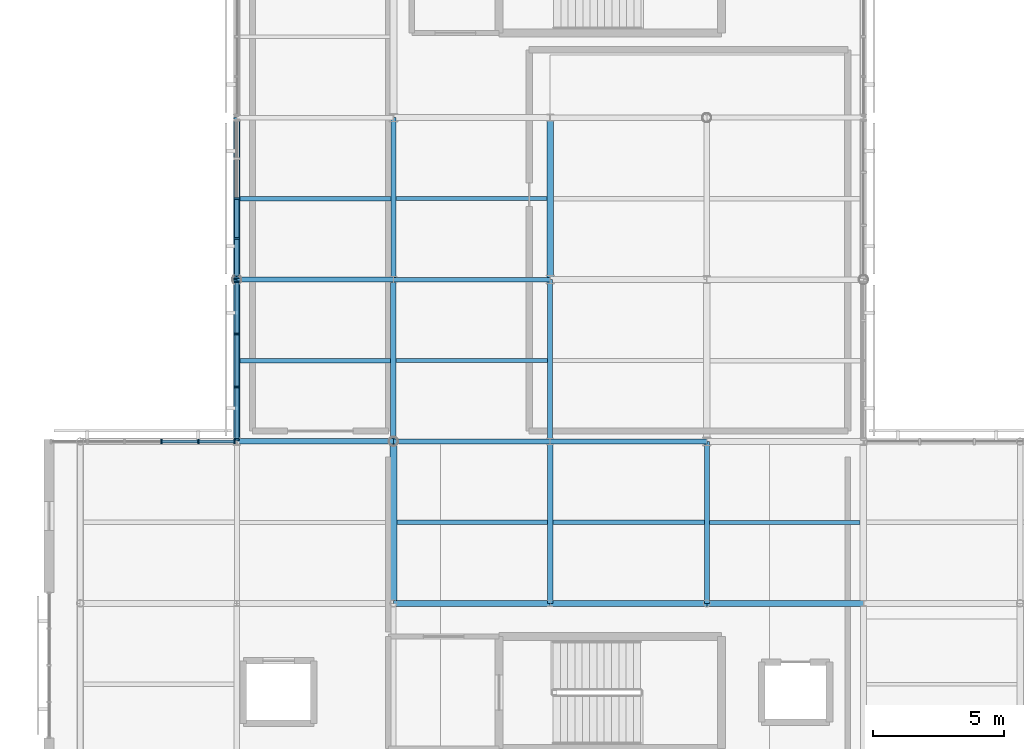
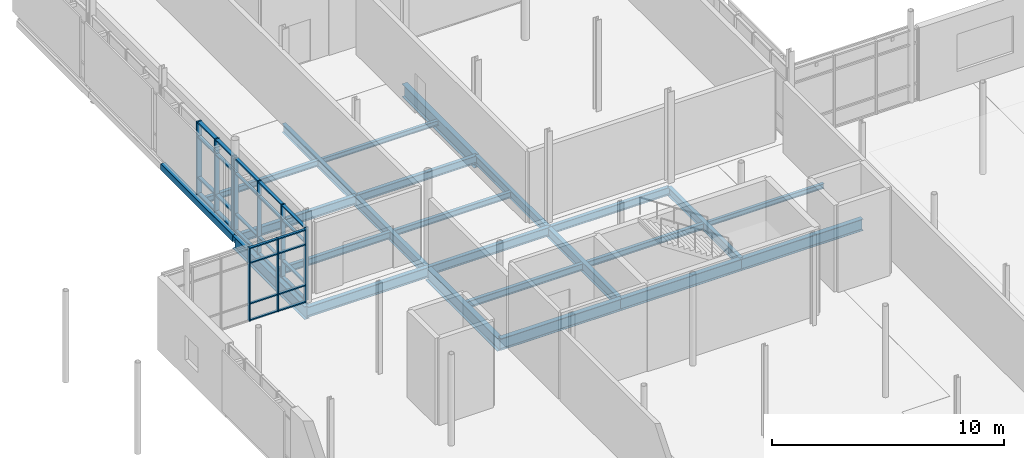
# One storey, part 30 of 66: 38 members, 24 beams, 3 elements without a shape of their own.
"""IFC4 building model written with IfcOpenShell, lengths in metres."""

from ifc_helpers import new_model, si_unit, direction, frame, origin, origin_2d, place, context, subcontext, project, spatial, rectangle, hollow_rectangle, i_section, extrude, material, layer, layer_set, material_profile, profile_set, type_object, element, aggregate, save


model = new_model("IFC4")

# Units and contexts
model_context = context("Model", 3, precision=1e-05, world=origin(), true_north=direction((0.0, 1.0)))
body_context = subcontext(model_context, "Body", "Model", "MODEL_VIEW")
ifc_project = project(units=[si_unit("LENGTHUNIT", "METRE"), si_unit("AREAUNIT", "SQUARE_METRE"), si_unit("VOLUMEUNIT", "CUBIC_METRE"), si_unit("PLANEANGLEUNIT", "RADIAN"), si_unit("MASSUNIT", "GRAM", prefix="KILO")], contexts=[model_context])

# Site, building, storey
site_placement = place(None, origin())
site = spatial("IfcSite", under=ifc_project, at=site_placement, CompositionType="ELEMENT")
building_placement = place(site_placement, origin())
building = spatial("IfcBuilding", under=site, at=building_placement, Name="Mirzam Square Science Centre", CompositionType="ELEMENT")
storey_placement = place(building_placement, frame((0.0, 0.0, 15.60009765625)))
storey = spatial("IfcBuildingStorey", under=building, at=storey_placement, Name="L03", CompositionType="ELEMENT", Elevation=15.60009765625)

# Beams
ifc_material_1 = material(Name="Steel S355", Category="steel")
ifc_material_profile_1 = material_profile(ifc_material_1, i_section(OverallWidth=0.1787109375, OverallDepth=0.409423828125, WebThickness=0.0087890625, FlangeThickness=0.014404296875, FilletRadius=0.01025390625, at=origin_2d()), Name="406x178x67UB")
ifc_profile_set_1 = profile_set([ifc_material_profile_1], Name="Steel S355")
beam_type_1 = type_object("IfcBeamType", Name="BM-UB406", PredefinedType="BEAM", material=ifc_profile_set_1)
for number, where, z_axis, x_axis, name in (
    (1, (126.0, 86.800048828125, -0.454833984375), (1.0, 0.0, 0.0), (0.0, 1.0, 0.0), "L03 girder X22-15"),
    (2, (120.0, 93.0, -0.454833984375), (1.0, 0.0, 0.0), (0.0, 1.0, 0.0), "L03 girder X21-16"),
):
    element("IfcBeam", number, at=place(storey_placement, frame(where, z_axis=z_axis, x_axis=x_axis)), inside=storey, type_object=beam_type_1, Name=name, PredefinedType="BEAM", context=body_context, shape_type="SweptSolid", body=[
        extrude(i_section(OverallWidth=0.1787109375, OverallDepth=0.409423828125, WebThickness=0.0087890625, FlangeThickness=0.014404296875, FilletRadius=0.01025390625, at=origin_2d()), origin(), (0.0, 0.0, 1.0), 6.0),
    ])
ifc_material_profile_2 = material_profile(ifc_material_1, i_section(OverallWidth=0.19140625, OverallDepth=0.4599609375, WebThickness=0.010009765625, FlangeThickness=0.01611328125, FilletRadius=0.01025390625, at=origin_2d()), Name="457x191x82UB")
ifc_profile_set_2 = profile_set([ifc_material_profile_2], Name="Steel S355")
beam_type_2 = type_object("IfcBeamType", Name="BM-UB457", PredefinedType="BEAM", material=ifc_profile_set_2)
for number, where, z_axis, x_axis, name in (
    (3, (120.0, 86.800048828125, -0.47998046875), (1.0, 0.0, 0.0), (0.0, 1.0, 0.0), "L03 girder X21-15"),
    (4, (114.0, 93.0, -0.47998046875), (1.0, 0.0, 0.0), (0.0, 1.0, 0.0), "L03 girder X20-16"),
):
    element("IfcBeam", number, at=place(storey_placement, frame(where, z_axis=z_axis, x_axis=x_axis)), inside=storey, type_object=beam_type_2, Name=name, PredefinedType="BEAM", context=body_context, shape_type="SweptSolid", body=[
        extrude(i_section(OverallWidth=0.19140625, OverallDepth=0.4599609375, WebThickness=0.010009765625, FlangeThickness=0.01611328125, FilletRadius=0.01025390625, at=origin_2d()), origin(), (0.0, 0.0, 1.0), 6.0),
    ])
for number, where, z_axis, x_axis, name in (
    (5, (120.0, 93.0, -0.47998046875), (0.0, 1.0, 0.0), (-1.0, 0.0, 0.0), "L03 girder Y21-16"),
    (6, (126.0, 86.800048828125, -0.47998046875), (0.0, 1.0, 0.0), (-1.0, 0.0, 0.0), "L03 girder Y22-15"),
    (7, (132.0, 80.60009765625, -0.47998046875), (0.0, 1.0, 0.0), (-1.0, 0.0, 0.0), "L03 girder Y23-14"),
):
    element("IfcBeam", number, at=place(storey_placement, frame(where, z_axis=z_axis, x_axis=x_axis)), inside=storey, type_object=beam_type_2, Name=name, PredefinedType="BEAM", context=body_context, shape_type="SweptSolid", body=[
        extrude(i_section(OverallWidth=0.19140625, OverallDepth=0.4599609375, WebThickness=0.010009765625, FlangeThickness=0.01611328125, FilletRadius=0.01025390625, at=origin_2d()), origin(), (0.0, 0.0, 1.0), 6.199951171875),
    ])
ifc_material_profile_3 = material_profile(ifc_material_1, i_section(OverallWidth=0.2099609375, OverallDepth=0.53662109375, WebThickness=0.0107421875, FlangeThickness=0.017333984375, FilletRadius=0.0126953125, at=origin_2d()), Name="533x210x101UB")
ifc_profile_set_3 = profile_set([ifc_material_profile_3], Name="Steel S355")
beam_type_3 = type_object("IfcBeamType", Name="BM-UB533", PredefinedType="BEAM", material=ifc_profile_set_3)
beam_1_placement = place(storey_placement, frame((114.0, 86.800048828125, -0.5185546875), z_axis=(1.0, 0.0, 0.0), x_axis=(0.0, 1.0, 0.0)))
element("IfcBeam", 8, at=beam_1_placement, inside=storey, type_object=beam_type_3, Name="L03 girder X20-15", PredefinedType="BEAM", context=body_context, shape_type="SweptSolid", body=[
    extrude(i_section(OverallWidth=0.2099609375, OverallDepth=0.53662109375, WebThickness=0.0107421875, FlangeThickness=0.017333984375, FilletRadius=0.0126953125, at=origin_2d()), origin(), (0.0, 0.0, 1.0), 6.0),
])
for number, where, z_axis, x_axis, name in (
    (9, (120.0, 86.800048828125, -0.5185546875), (0.0, 1.0, 0.0), (-1.0, 0.0, 0.0), "L03 girder Y21-15"),
    (10, (126.0, 80.60009765625, -0.5185546875), (0.0, 1.0, 0.0), (-1.0, 0.0, 0.0), "L03 girder Y22-14"),
):
    element("IfcBeam", number, at=place(storey_placement, frame(where, z_axis=z_axis, x_axis=x_axis)), inside=storey, type_object=beam_type_3, Name=name, PredefinedType="BEAM", context=body_context, shape_type="SweptSolid", body=[
        extrude(i_section(OverallWidth=0.2099609375, OverallDepth=0.53662109375, WebThickness=0.0107421875, FlangeThickness=0.017333984375, FilletRadius=0.0126953125, at=origin_2d()), origin(), (0.0, 0.0, 1.0), 6.199951171875),
    ])
ifc_material_profile_4 = material_profile(ifc_material_1, i_section(OverallWidth=0.22900390625, OverallDepth=0.6123046875, WebThickness=0.011962890625, FlangeThickness=0.01953125, FilletRadius=0.0126953125, at=origin_2d()), Name="610x229x125UB")
ifc_profile_set_4 = profile_set([ifc_material_profile_4], Name="Steel S355")
beam_type_4 = type_object("IfcBeamType", Name="BM-UB610", PredefinedType="BEAM", material=ifc_profile_set_4)
for number, where, z_axis, x_axis, name in (
    (11, (120.0, 80.60009765625, -0.55615234375), (1.0, 0.0, 0.0), (0.0, 1.0, 0.0), "L03 girder X21-14"),
    (12, (126.0, 80.60009765625, -0.55615234375), (1.0, 0.0, 0.0), (0.0, 1.0, 0.0), "L03 girder X22-14"),
    (13, (132.0, 80.60009765625, -0.55615234375), (1.0, 0.0, 0.0), (0.0, 1.0, 0.0), "L03 girder X23-14"),
):
    element("IfcBeam", number, at=place(storey_placement, frame(where, z_axis=z_axis, x_axis=x_axis)), inside=storey, type_object=beam_type_4, Name=name, PredefinedType="BEAM", context=body_context, shape_type="SweptSolid", body=[
        extrude(i_section(OverallWidth=0.22900390625, OverallDepth=0.6123046875, WebThickness=0.011962890625, FlangeThickness=0.01953125, FilletRadius=0.0126953125, at=origin_2d()), origin(), (0.0, 0.0, 1.0), 6.0),
    ])
ifc_material_profile_5 = material_profile(ifc_material_1, i_section(OverallWidth=0.25439453125, OverallDepth=0.6875, WebThickness=0.01318359375, FlangeThickness=0.02099609375, FilletRadius=0.01513671875, at=origin_2d()), Name="686x254x152UB")
ifc_profile_set_5 = profile_set([ifc_material_profile_5], Name="Steel S355")
beam_type_5 = type_object("IfcBeamType", Name="BM-UB686", PredefinedType="BEAM", material=ifc_profile_set_5)
for number, where, z_axis, x_axis, name in (
    (14, (114.0, 86.800048828125, -0.593994140625), (0.0, 1.0, 0.0), (-1.0, 0.0, 0.0), "L03 girder Y20-15"),
    (15, (120.0, 80.60009765625, -0.593994140625), (0.0, 1.0, 0.0), (-1.0, 0.0, 0.0), "L03 girder Y21-14"),
    (16, (126.0, 93.0, -0.593994140625), (0.0, 1.0, 0.0), (-1.0, 0.0, 0.0), "L03 girder Y22-16"),
):
    element("IfcBeam", number, at=place(storey_placement, frame(where, z_axis=z_axis, x_axis=x_axis)), inside=storey, type_object=beam_type_5, Name=name, PredefinedType="BEAM", context=body_context, shape_type="SweptSolid", body=[
        extrude(i_section(OverallWidth=0.25439453125, OverallDepth=0.6875, WebThickness=0.01318359375, FlangeThickness=0.02099609375, FilletRadius=0.01513671875, at=origin_2d()), origin(), (0.0, 0.0, 1.0), 6.199951171875),
    ])

# Curtain wall, members
ifc_material_2 = material(Name="Anodised Aluminium and Low-E Solar Glass", Category="aluminium")
ifc_layer_1 = layer(ifc_material_2, 0.159912109375)
ifc_layer_set_1 = layer_set([ifc_layer_1], Name="CW-COURT-B")
curtain_wall_type_1 = type_object("IfcCurtainWallType", Name="CW-COURT-B", PredefinedType="USERDEFINED", material=ifc_layer_set_1)
curtain_wall_1_placement = place(storey_placement, origin())
curtain_wall_1 = element("IfcCurtainWall", 17, at=curtain_wall_1_placement, inside=storey, type_object=curtain_wall_type_1, Name="L03 unitised curtain wall 132", ObjectType="UNITISED CURTAIN WALL", PredefinedType="USERDEFINED")
ifc_material_3 = material(Name="Anodised Architectural Aluminium 6063-T6", Category="aluminium")
ifc_material_profile_6 = material_profile(ifc_material_3, rectangle(XDim=0.06005859375, YDim=0.159912109375, at=origin_2d()), Name="ALU-MULL-160x60x4")
ifc_profile_set_6 = profile_set([ifc_material_profile_6], Name="Anodised Architectural Aluminium 6063-T6")
member_type_1 = type_object("IfcMemberType", Name="CWM-160", PredefinedType="MULLION", material=ifc_profile_set_6)
member_1_placement = place(storey_placement, frame((113.9150390625, 86.800048828125, 0.0), z_axis=(0.0, 0.0, 1.0), x_axis=(-1.0, 0.0, 0.0)))
member_1 = element("IfcMember", 18, at=member_1_placement, type_object=member_type_1, Name="CW-04 mullion 1", PredefinedType="MULLION", context=body_context, shape_type="SweptSolid", body=[
    extrude(rectangle(XDim=0.06005859375, YDim=0.159912109375, at=origin_2d()), origin(), (0.0, 0.0, 1.0), 3.83984375),
])
member_2_placement = place(storey_placement, frame((112.527099609375, 86.800048828125, 0.0), z_axis=(0.0, 0.0, 1.0), x_axis=(-1.0, 0.0, 0.0)))
member_2 = element("IfcMember", 19, at=member_2_placement, type_object=member_type_1, Name="CW-04 mullion 2", PredefinedType="MULLION", context=body_context, shape_type="SweptSolid", body=[
    extrude(rectangle(XDim=0.06005859375, YDim=0.159912109375, at=origin_2d()), origin(), (0.0, 0.0, 1.0), 3.83984375),
])
member_3_placement = place(storey_placement, frame((111.10888671875, 86.800048828125, 0.0), z_axis=(0.0, 0.0, 1.0), x_axis=(-1.0, 0.0, 0.0)))
member_3 = element("IfcMember", 20, at=member_3_placement, type_object=member_type_1, Name="CW-04 mullion 3", PredefinedType="MULLION", context=body_context, shape_type="SweptSolid", body=[
    extrude(rectangle(XDim=0.06005859375, YDim=0.159912109375, at=origin_2d()), origin(), (0.0, 0.0, 1.0), 3.83984375),
])

ifc_layer_2 = layer(ifc_material_2, 0.199951171875)
ifc_layer_set_2 = layer_set([ifc_layer_2], Name="CW-PARK-B")
curtain_wall_type_2 = type_object("IfcCurtainWallType", Name="CW-PARK-B", PredefinedType="USERDEFINED", material=ifc_layer_set_2)
curtain_wall_2_placement = place(storey_placement, origin())
curtain_wall_2 = element("IfcCurtainWall", 21, at=curtain_wall_2_placement, inside=storey, type_object=curtain_wall_type_2, Name="L03 unitised curtain wall 138", ObjectType="UNITISED CURTAIN WALL", PredefinedType="USERDEFINED")
ifc_material_profile_7 = material_profile(ifc_material_3, rectangle(XDim=0.06494140625, YDim=0.199951171875, at=origin_2d()), Name="ALU-MULL-200x65x5")
ifc_profile_set_7 = profile_set([ifc_material_profile_7], Name="Anodised Architectural Aluminium 6063-T6")
member_type_2 = type_object("IfcMemberType", Name="CWM-200", PredefinedType="MULLION", material=ifc_profile_set_7)
member_4_placement = place(storey_placement, frame((114.0, 92.91259765625, 0.0), z_axis=(0.0, 0.0, 1.0), x_axis=(0.0, -1.0, 0.0)))
member_4 = element("IfcMember", 22, at=member_4_placement, type_object=member_type_2, Name="CW-02 mullion 1", PredefinedType="MULLION", context=body_context, shape_type="SweptSolid", body=[
    extrude(rectangle(XDim=0.06494140625, YDim=0.199951171875, at=origin_2d()), origin(), (0.0, 0.0, 1.0), 3.83984375),
])
member_5_placement = place(storey_placement, frame((114.0, 90.9150390625, 0.0), z_axis=(0.0, 0.0, 1.0), x_axis=(0.0, -1.0, 0.0)))
member_5 = element("IfcMember", 23, at=member_5_placement, type_object=member_type_2, Name="CW-02 mullion 2", PredefinedType="MULLION", context=body_context, shape_type="SweptSolid", body=[
    extrude(rectangle(XDim=0.06494140625, YDim=0.199951171875, at=origin_2d()), origin(), (0.0, 0.0, 1.0), 3.83984375),
])
member_6_placement = place(storey_placement, frame((114.0, 88.885009765625, 0.0), z_axis=(0.0, 0.0, 1.0), x_axis=(0.0, -1.0, 0.0)))
member_6 = element("IfcMember", 24, at=member_6_placement, type_object=member_type_2, Name="CW-02 mullion 3", PredefinedType="MULLION", context=body_context, shape_type="SweptSolid", body=[
    extrude(rectangle(XDim=0.06494140625, YDim=0.199951171875, at=origin_2d()), origin(), (0.0, 0.0, 1.0), 3.83984375),
])
member_7_placement = place(storey_placement, frame((114.0, 86.887451171875, 0.0), z_axis=(0.0, 0.0, 1.0), x_axis=(0.0, -1.0, 0.0)))
member_7 = element("IfcMember", 25, at=member_7_placement, type_object=member_type_2, Name="CW-02 mullion 4", PredefinedType="MULLION", context=body_context, shape_type="SweptSolid", body=[
    extrude(rectangle(XDim=0.06494140625, YDim=0.199951171875, at=origin_2d()), origin(), (0.0, 0.0, 1.0), 3.83984375),
])

ifc_layer_3 = layer(ifc_material_2, 0.159912109375)
ifc_layer_set_3 = layer_set([ifc_layer_3], Name="CW-COURT-A")
curtain_wall_type_3 = type_object("IfcCurtainWallType", Name="CW-COURT-A", PredefinedType="USERDEFINED", material=ifc_layer_set_3)
curtain_wall_3_placement = place(storey_placement, origin())
curtain_wall_3 = element("IfcCurtainWall", 26, at=curtain_wall_3_placement, inside=storey, type_object=curtain_wall_type_3, Name="L03 unitised curtain wall 140", ObjectType="UNITISED CURTAIN WALL", PredefinedType="USERDEFINED")
ifc_material_profile_8 = material_profile(ifc_material_3, rectangle(XDim=0.074951171875, YDim=0.239990234375, at=origin_2d()), Name="ALU-MULL-240x75x5")
ifc_profile_set_8 = profile_set([ifc_material_profile_8], Name="Anodised Architectural Aluminium 6063-T6")
member_type_3 = type_object("IfcMemberType", Name="CWM-240", PredefinedType="MULLION", material=ifc_profile_set_8)
member_8_placement = place(storey_placement, frame((114.0, 96.10009765625, 0.0), z_axis=(0.0, 0.0, 1.0), x_axis=(0.0, -1.0, 0.0)))
member_8 = element("IfcMember", 27, at=member_8_placement, type_object=member_type_3, Name="CW-03 mullion 3", PredefinedType="MULLION", context=body_context, shape_type="SweptSolid", body=[
    extrude(rectangle(XDim=0.074951171875, YDim=0.239990234375, at=origin_2d()), origin(), (0.0, 0.0, 1.0), 3.83984375),
])
member_9_placement = place(storey_placement, frame((114.0, 94.577392578125, 0.0), z_axis=(0.0, 0.0, 1.0), x_axis=(0.0, -1.0, 0.0)))
member_9 = element("IfcMember", 28, at=member_9_placement, type_object=member_type_3, Name="CW-03 mullion 4", PredefinedType="MULLION", context=body_context, shape_type="SweptSolid", body=[
    extrude(rectangle(XDim=0.074951171875, YDim=0.239990234375, at=origin_2d()), origin(), (0.0, 0.0, 1.0), 3.83984375),
])
member_10_placement = place(storey_placement, frame((114.0, 93.092529296875, 0.0), z_axis=(0.0, 0.0, 1.0), x_axis=(0.0, -1.0, 0.0)))
member_10 = element("IfcMember", 29, at=member_10_placement, type_object=member_type_3, Name="CW-03 mullion 5", PredefinedType="MULLION", context=body_context, shape_type="SweptSolid", body=[
    extrude(rectangle(XDim=0.074951171875, YDim=0.239990234375, at=origin_2d()), origin(), (0.0, 0.0, 1.0), 3.83984375),
])

# Member
ifc_material_profile_9 = material_profile(ifc_material_3, rectangle(XDim=0.1201171875, YDim=0.06005859375, at=origin_2d()), Name="ALU-TRAN-120x60x4")
ifc_profile_set_9 = profile_set([ifc_material_profile_9], Name="Anodised Architectural Aluminium 6063-T6")
member_type_4 = type_object("IfcMemberType", Name="CWT-120", PredefinedType="USERDEFINED", material=ifc_profile_set_9)
member_11_placement = place(storey_placement, frame((113.885009765625, 86.800048828125, 0.02978515625), z_axis=(-1.0, 0.0, 0.0), x_axis=(0.0, -1.0, 0.0)))
member_11 = element("IfcMember", 30, at=member_11_placement, type_object=member_type_4, Name="CW-04 transom 1.1", ObjectType="TRANSOM", PredefinedType="USERDEFINED", context=body_context, shape_type="SweptSolid", body=[
    extrude(rectangle(XDim=0.1201171875, YDim=0.06005859375, at=origin_2d()), origin(), (0.0, 0.0, 1.0), 1.328125),
])

member_12_placement = place(storey_placement, frame((113.885009765625, 86.800048828125, 0.89990234375), z_axis=(-1.0, 0.0, 0.0), x_axis=(0.0, -1.0, 0.0)))
member_12 = element("IfcMember", 31, at=member_12_placement, type_object=member_type_4, Name="CW-04 transom 1.2", ObjectType="TRANSOM", PredefinedType="USERDEFINED", context=body_context, shape_type="SweptSolid", body=[
    extrude(rectangle(XDim=0.1201171875, YDim=0.06005859375, at=origin_2d()), origin(), (0.0, 0.0, 1.0), 1.328125),
])

member_13_placement = place(storey_placement, frame((113.885009765625, 86.800048828125, 3.039794921875), z_axis=(-1.0, 0.0, 0.0), x_axis=(0.0, -1.0, 0.0)))
member_13 = element("IfcMember", 32, at=member_13_placement, type_object=member_type_4, Name="CW-04 transom 1.3", ObjectType="TRANSOM", PredefinedType="USERDEFINED", context=body_context, shape_type="SweptSolid", body=[
    extrude(rectangle(XDim=0.1201171875, YDim=0.06005859375, at=origin_2d()), origin(), (0.0, 0.0, 1.0), 1.328125),
])

member_14_placement = place(storey_placement, frame((113.885009765625, 86.800048828125, 3.809814453125), z_axis=(-1.0, 0.0, 0.0), x_axis=(0.0, -1.0, 0.0)))
member_14 = element("IfcMember", 33, at=member_14_placement, type_object=member_type_4, Name="CW-04 transom 1.4", ObjectType="TRANSOM", PredefinedType="USERDEFINED", context=body_context, shape_type="SweptSolid", body=[
    extrude(rectangle(XDim=0.1201171875, YDim=0.06005859375, at=origin_2d()), origin(), (0.0, 0.0, 1.0), 1.328125),
])

member_15_placement = place(storey_placement, frame((112.4970703125, 86.800048828125, 0.02978515625), z_axis=(-1.0, 0.0, 0.0), x_axis=(0.0, -1.0, 0.0)))
member_15 = element("IfcMember", 34, at=member_15_placement, type_object=member_type_4, Name="CW-04 transom 2.1", ObjectType="TRANSOM", PredefinedType="USERDEFINED", context=body_context, shape_type="SweptSolid", body=[
    extrude(rectangle(XDim=0.1201171875, YDim=0.06005859375, at=origin_2d()), origin(), (0.0, 0.0, 1.0), 1.358154296875),
])

member_16_placement = place(storey_placement, frame((112.4970703125, 86.800048828125, 0.89990234375), z_axis=(-1.0, 0.0, 0.0), x_axis=(0.0, -1.0, 0.0)))
member_16 = element("IfcMember", 35, at=member_16_placement, type_object=member_type_4, Name="CW-04 transom 2.2", ObjectType="TRANSOM", PredefinedType="USERDEFINED", context=body_context, shape_type="SweptSolid", body=[
    extrude(rectangle(XDim=0.1201171875, YDim=0.06005859375, at=origin_2d()), origin(), (0.0, 0.0, 1.0), 1.358154296875),
])

member_17_placement = place(storey_placement, frame((112.4970703125, 86.800048828125, 3.039794921875), z_axis=(-1.0, 0.0, 0.0), x_axis=(0.0, -1.0, 0.0)))
member_17 = element("IfcMember", 36, at=member_17_placement, type_object=member_type_4, Name="CW-04 transom 2.3", ObjectType="TRANSOM", PredefinedType="USERDEFINED", context=body_context, shape_type="SweptSolid", body=[
    extrude(rectangle(XDim=0.1201171875, YDim=0.06005859375, at=origin_2d()), origin(), (0.0, 0.0, 1.0), 1.358154296875),
])

member_18_placement = place(storey_placement, frame((112.4970703125, 86.800048828125, 3.809814453125), z_axis=(-1.0, 0.0, 0.0), x_axis=(0.0, -1.0, 0.0)))
member_18 = element("IfcMember", 37, at=member_18_placement, type_object=member_type_4, Name="CW-04 transom 2.4", ObjectType="TRANSOM", PredefinedType="USERDEFINED", context=body_context, shape_type="SweptSolid", body=[
    extrude(rectangle(XDim=0.1201171875, YDim=0.06005859375, at=origin_2d()), origin(), (0.0, 0.0, 1.0), 1.358154296875),
])

aggregate(curtain_wall_1, [member_1, member_2, member_3, member_11, member_12, member_13, member_14, member_15, member_16, member_17, member_18])

ifc_material_profile_10 = material_profile(ifc_material_3, rectangle(XDim=0.14990234375, YDim=0.06494140625, at=origin_2d()), Name="ALU-TRAN-150x65x4")
ifc_profile_set_10 = profile_set([ifc_material_profile_10], Name="Anodised Architectural Aluminium 6063-T6")
member_type_5 = type_object("IfcMemberType", Name="CWT-150", PredefinedType="USERDEFINED", material=ifc_profile_set_10)
member_19_placement = place(storey_placement, frame((114.0, 92.8798828125, 0.032470703125), z_axis=(0.0, -1.0, 0.0), x_axis=(1.0, 0.0, 0.0)))
member_19 = element("IfcMember", 38, at=member_19_placement, type_object=member_type_5, Name="CW-02 transom 1.1", ObjectType="TRANSOM", PredefinedType="USERDEFINED", context=body_context, shape_type="SweptSolid", body=[
    extrude(rectangle(XDim=0.14990234375, YDim=0.06494140625, at=origin_2d()), origin(), (0.0, 0.0, 1.0), 1.932373046875),
])

member_20_placement = place(storey_placement, frame((114.0, 92.8798828125, 0.89990234375), z_axis=(0.0, -1.0, 0.0), x_axis=(1.0, 0.0, 0.0)))
member_20 = element("IfcMember", 39, at=member_20_placement, type_object=member_type_5, Name="CW-02 transom 1.2", ObjectType="TRANSOM", PredefinedType="USERDEFINED", context=body_context, shape_type="SweptSolid", body=[
    extrude(rectangle(XDim=0.14990234375, YDim=0.06494140625, at=origin_2d()), origin(), (0.0, 0.0, 1.0), 1.932373046875),
])

member_21_placement = place(storey_placement, frame((114.0, 92.8798828125, 3.039794921875), z_axis=(0.0, -1.0, 0.0), x_axis=(1.0, 0.0, 0.0)))
member_21 = element("IfcMember", 40, at=member_21_placement, type_object=member_type_5, Name="CW-02 transom 1.3", ObjectType="TRANSOM", PredefinedType="USERDEFINED", context=body_context, shape_type="SweptSolid", body=[
    extrude(rectangle(XDim=0.14990234375, YDim=0.06494140625, at=origin_2d()), origin(), (0.0, 0.0, 1.0), 1.932373046875),
])

member_22_placement = place(storey_placement, frame((114.0, 92.8798828125, 3.807373046875), z_axis=(0.0, -1.0, 0.0), x_axis=(1.0, 0.0, 0.0)))
member_22 = element("IfcMember", 41, at=member_22_placement, type_object=member_type_5, Name="CW-02 transom 1.4", ObjectType="TRANSOM", PredefinedType="USERDEFINED", context=body_context, shape_type="SweptSolid", body=[
    extrude(rectangle(XDim=0.14990234375, YDim=0.06494140625, at=origin_2d()), origin(), (0.0, 0.0, 1.0), 1.932373046875),
])

member_23_placement = place(storey_placement, frame((114.0, 90.882568359375, 0.032470703125), z_axis=(0.0, -1.0, 0.0), x_axis=(1.0, 0.0, 0.0)))
member_23 = element("IfcMember", 42, at=member_23_placement, type_object=member_type_5, Name="CW-02 transom 2.1", ObjectType="TRANSOM", PredefinedType="USERDEFINED", context=body_context, shape_type="SweptSolid", body=[
    extrude(rectangle(XDim=0.14990234375, YDim=0.06494140625, at=origin_2d()), origin(), (0.0, 0.0, 1.0), 1.965087890625),
])

member_24_placement = place(storey_placement, frame((114.0, 90.882568359375, 0.89990234375), z_axis=(0.0, -1.0, 0.0), x_axis=(1.0, 0.0, 0.0)))
member_24 = element("IfcMember", 43, at=member_24_placement, type_object=member_type_5, Name="CW-02 transom 2.2", ObjectType="TRANSOM", PredefinedType="USERDEFINED", context=body_context, shape_type="SweptSolid", body=[
    extrude(rectangle(XDim=0.14990234375, YDim=0.06494140625, at=origin_2d()), origin(), (0.0, 0.0, 1.0), 1.965087890625),
])

member_25_placement = place(storey_placement, frame((114.0, 90.882568359375, 3.039794921875), z_axis=(0.0, -1.0, 0.0), x_axis=(1.0, 0.0, 0.0)))
member_25 = element("IfcMember", 44, at=member_25_placement, type_object=member_type_5, Name="CW-02 transom 2.3", ObjectType="TRANSOM", PredefinedType="USERDEFINED", context=body_context, shape_type="SweptSolid", body=[
    extrude(rectangle(XDim=0.14990234375, YDim=0.06494140625, at=origin_2d()), origin(), (0.0, 0.0, 1.0), 1.965087890625),
])

member_26_placement = place(storey_placement, frame((114.0, 90.882568359375, 3.807373046875), z_axis=(0.0, -1.0, 0.0), x_axis=(1.0, 0.0, 0.0)))
member_26 = element("IfcMember", 45, at=member_26_placement, type_object=member_type_5, Name="CW-02 transom 2.4", ObjectType="TRANSOM", PredefinedType="USERDEFINED", context=body_context, shape_type="SweptSolid", body=[
    extrude(rectangle(XDim=0.14990234375, YDim=0.06494140625, at=origin_2d()), origin(), (0.0, 0.0, 1.0), 1.965087890625),
])

member_27_placement = place(storey_placement, frame((114.0, 88.8525390625, 0.032470703125), z_axis=(0.0, -1.0, 0.0), x_axis=(1.0, 0.0, 0.0)))
member_27 = element("IfcMember", 46, at=member_27_placement, type_object=member_type_5, Name="CW-02 transom 3.1", ObjectType="TRANSOM", PredefinedType="USERDEFINED", context=body_context, shape_type="SweptSolid", body=[
    extrude(rectangle(XDim=0.14990234375, YDim=0.06494140625, at=origin_2d()), origin(), (0.0, 0.0, 1.0), 1.9326171875),
])

member_28_placement = place(storey_placement, frame((114.0, 88.8525390625, 0.89990234375), z_axis=(0.0, -1.0, 0.0), x_axis=(1.0, 0.0, 0.0)))
member_28 = element("IfcMember", 47, at=member_28_placement, type_object=member_type_5, Name="CW-02 transom 3.2", ObjectType="TRANSOM", PredefinedType="USERDEFINED", context=body_context, shape_type="SweptSolid", body=[
    extrude(rectangle(XDim=0.14990234375, YDim=0.06494140625, at=origin_2d()), origin(), (0.0, 0.0, 1.0), 1.9326171875),
])

member_29_placement = place(storey_placement, frame((114.0, 88.8525390625, 3.039794921875), z_axis=(0.0, -1.0, 0.0), x_axis=(1.0, 0.0, 0.0)))
member_29 = element("IfcMember", 48, at=member_29_placement, type_object=member_type_5, Name="CW-02 transom 3.3", ObjectType="TRANSOM", PredefinedType="USERDEFINED", context=body_context, shape_type="SweptSolid", body=[
    extrude(rectangle(XDim=0.14990234375, YDim=0.06494140625, at=origin_2d()), origin(), (0.0, 0.0, 1.0), 1.9326171875),
])

member_30_placement = place(storey_placement, frame((114.0, 88.8525390625, 3.807373046875), z_axis=(0.0, -1.0, 0.0), x_axis=(1.0, 0.0, 0.0)))
member_30 = element("IfcMember", 49, at=member_30_placement, type_object=member_type_5, Name="CW-02 transom 3.4", ObjectType="TRANSOM", PredefinedType="USERDEFINED", context=body_context, shape_type="SweptSolid", body=[
    extrude(rectangle(XDim=0.14990234375, YDim=0.06494140625, at=origin_2d()), origin(), (0.0, 0.0, 1.0), 1.9326171875),
])

aggregate(curtain_wall_2, [member_4, member_5, member_6, member_7, member_19, member_20, member_21, member_22, member_23, member_24, member_25, member_26, member_27, member_28, member_29, member_30])

ifc_material_profile_11 = material_profile(ifc_material_3, rectangle(XDim=0.179931640625, YDim=0.074951171875, at=origin_2d()), Name="ALU-TRAN-180x75x5")
ifc_profile_set_11 = profile_set([ifc_material_profile_11], Name="Anodised Architectural Aluminium 6063-T6")
member_type_6 = type_object("IfcMemberType", Name="CWT-180", PredefinedType="USERDEFINED", material=ifc_profile_set_11)
member_31_placement = place(storey_placement, frame((114.0, 96.0625, 0.037353515625), z_axis=(0.0, -1.0, 0.0), x_axis=(1.0, 0.0, 0.0)))
member_31 = element("IfcMember", 50, at=member_31_placement, type_object=member_type_6, Name="CW-03 transom 3.1", ObjectType="TRANSOM", PredefinedType="USERDEFINED", context=body_context, shape_type="SweptSolid", body=[
    extrude(rectangle(XDim=0.179931640625, YDim=0.074951171875, at=origin_2d()), origin(), (0.0, 0.0, 1.0), 1.447509765625),
])

member_32_placement = place(storey_placement, frame((114.0, 96.0625, 0.89990234375), z_axis=(0.0, -1.0, 0.0), x_axis=(1.0, 0.0, 0.0)))
member_32 = element("IfcMember", 51, at=member_32_placement, type_object=member_type_6, Name="CW-03 transom 3.2", ObjectType="TRANSOM", PredefinedType="USERDEFINED", context=body_context, shape_type="SweptSolid", body=[
    extrude(rectangle(XDim=0.179931640625, YDim=0.074951171875, at=origin_2d()), origin(), (0.0, 0.0, 1.0), 1.447509765625),
])

member_33_placement = place(storey_placement, frame((114.0, 96.0625, 3.039794921875), z_axis=(0.0, -1.0, 0.0), x_axis=(1.0, 0.0, 0.0)))
member_33 = element("IfcMember", 52, at=member_33_placement, type_object=member_type_6, Name="CW-03 transom 3.3", ObjectType="TRANSOM", PredefinedType="USERDEFINED", context=body_context, shape_type="SweptSolid", body=[
    extrude(rectangle(XDim=0.179931640625, YDim=0.074951171875, at=origin_2d()), origin(), (0.0, 0.0, 1.0), 1.447509765625),
])

member_34_placement = place(storey_placement, frame((114.0, 96.0625, 3.802490234375), z_axis=(0.0, -1.0, 0.0), x_axis=(1.0, 0.0, 0.0)))
member_34 = element("IfcMember", 53, at=member_34_placement, type_object=member_type_6, Name="CW-03 transom 3.4", ObjectType="TRANSOM", PredefinedType="USERDEFINED", context=body_context, shape_type="SweptSolid", body=[
    extrude(rectangle(XDim=0.179931640625, YDim=0.074951171875, at=origin_2d()), origin(), (0.0, 0.0, 1.0), 1.447509765625),
])

member_35_placement = place(storey_placement, frame((114.0, 94.5400390625, 0.037353515625), z_axis=(0.0, -1.0, 0.0), x_axis=(1.0, 0.0, 0.0)))
member_35 = element("IfcMember", 54, at=member_35_placement, type_object=member_type_6, Name="CW-03 transom 4.1", ObjectType="TRANSOM", PredefinedType="USERDEFINED", context=body_context, shape_type="SweptSolid", body=[
    extrude(rectangle(XDim=0.179931640625, YDim=0.074951171875, at=origin_2d()), origin(), (0.0, 0.0, 1.0), 1.41015625),
])

member_36_placement = place(storey_placement, frame((114.0, 94.5400390625, 0.89990234375), z_axis=(0.0, -1.0, 0.0), x_axis=(1.0, 0.0, 0.0)))
member_36 = element("IfcMember", 55, at=member_36_placement, type_object=member_type_6, Name="CW-03 transom 4.2", ObjectType="TRANSOM", PredefinedType="USERDEFINED", context=body_context, shape_type="SweptSolid", body=[
    extrude(rectangle(XDim=0.179931640625, YDim=0.074951171875, at=origin_2d()), origin(), (0.0, 0.0, 1.0), 1.41015625),
])

member_37_placement = place(storey_placement, frame((114.0, 94.5400390625, 3.039794921875), z_axis=(0.0, -1.0, 0.0), x_axis=(1.0, 0.0, 0.0)))
member_37 = element("IfcMember", 56, at=member_37_placement, type_object=member_type_6, Name="CW-03 transom 4.3", ObjectType="TRANSOM", PredefinedType="USERDEFINED", context=body_context, shape_type="SweptSolid", body=[
    extrude(rectangle(XDim=0.179931640625, YDim=0.074951171875, at=origin_2d()), origin(), (0.0, 0.0, 1.0), 1.41015625),
])

member_38_placement = place(storey_placement, frame((114.0, 94.5400390625, 3.802490234375), z_axis=(0.0, -1.0, 0.0), x_axis=(1.0, 0.0, 0.0)))
member_38 = element("IfcMember", 57, at=member_38_placement, type_object=member_type_6, Name="CW-03 transom 4.4", ObjectType="TRANSOM", PredefinedType="USERDEFINED", context=body_context, shape_type="SweptSolid", body=[
    extrude(rectangle(XDim=0.179931640625, YDim=0.074951171875, at=origin_2d()), origin(), (0.0, 0.0, 1.0), 1.41015625),
])

aggregate(curtain_wall_3, [member_8, member_9, member_10, member_31, member_32, member_33, member_34, member_35, member_36, member_37, member_38])

# Beams
ifc_material_profile_12 = material_profile(ifc_material_1, i_section(OverallWidth=0.146484375, OverallDepth=0.256103515625, WebThickness=0.00634765625, FlangeThickness=0.010986328125, FilletRadius=0.007568359375, at=origin_2d()), Name="254x146x37UB")
ifc_profile_set_12 = profile_set([ifc_material_profile_12], Name="Steel S355")
beam_type_6 = type_object("IfcBeamType", Name="JS-UB254", PredefinedType="JOIST", material=ifc_profile_set_12)
for number, where, z_axis, x_axis, name in (
    (58, (120.095703125, 96.10009765625, -0.378173828125), (1.0, 0.0, 0.0), (0.0, 1.0, 0.0), "L03 composite joist 21-16"),
    (59, (132.095703125, 83.699951171875, -0.378173828125), (1.0, 0.0, 0.0), (0.0, 1.0, 0.0), "L03 composite joist 23-14"),
):
    element("IfcBeam", number, at=place(storey_placement, frame(where, z_axis=z_axis, x_axis=x_axis)), inside=storey, type_object=beam_type_6, Name=name, PredefinedType="JOIST", context=body_context, shape_type="SweptSolid", body=[
        extrude(i_section(OverallWidth=0.146484375, OverallDepth=0.256103515625, WebThickness=0.00634765625, FlangeThickness=0.010986328125, FilletRadius=0.007568359375, at=origin_2d()), origin(), (0.0, 0.0, 1.0), 5.777099609375),
    ])
ifc_material_profile_13 = material_profile(ifc_material_1, i_section(OverallWidth=0.165771484375, OverallDepth=0.306640625, WebThickness=0.006591796875, FlangeThickness=0.01171875, FilletRadius=0.0087890625, at=origin_2d()), Name="305x165x46UB")
ifc_profile_set_13 = profile_set([ifc_material_profile_13], Name="Steel S355")
beam_type_7 = type_object("IfcBeamType", Name="JS-UB305", PredefinedType="JOIST", material=ifc_profile_set_13)
beam_2_placement = place(storey_placement, frame((114.125, 96.10009765625, -0.4033203125), z_axis=(1.0, 0.0, 0.0), x_axis=(0.0, 1.0, 0.0)))
element("IfcBeam", 60, at=beam_2_placement, inside=storey, type_object=beam_type_7, Name="L03 composite joist 20-16", PredefinedType="JOIST", context=body_context, shape_type="SweptSolid", body=[
    extrude(i_section(OverallWidth=0.165771484375, OverallDepth=0.306640625, WebThickness=0.006591796875, FlangeThickness=0.01171875, FilletRadius=0.0087890625, at=origin_2d()), origin(), (0.0, 0.0, 1.0), 5.779296875),
])
for number, where, z_axis, x_axis, name in (
    (61, (120.10498046875, 89.89990234375, -0.4033203125), (1.0, 0.0, 0.0), (0.0, 1.0, 0.0), "L03 composite joist 21-15"),
    (62, (126.10498046875, 83.699951171875, -0.4033203125), (1.0, 0.0, 0.0), (0.0, 1.0, 0.0), "L03 composite joist 22-14"),
):
    element("IfcBeam", number, at=place(storey_placement, frame(where, z_axis=z_axis, x_axis=x_axis)), inside=storey, type_object=beam_type_7, Name=name, PredefinedType="JOIST", context=body_context, shape_type="SweptSolid", body=[
        extrude(i_section(OverallWidth=0.165771484375, OverallDepth=0.306640625, WebThickness=0.006591796875, FlangeThickness=0.01171875, FilletRadius=0.0087890625, at=origin_2d()), origin(), (0.0, 0.0, 1.0), 5.79931640625),
    ])
ifc_material_profile_14 = material_profile(ifc_material_1, i_section(OverallWidth=0.172119140625, OverallDepth=0.35791015625, WebThickness=0.008056640625, FlangeThickness=0.012939453125, FilletRadius=0.01025390625, at=origin_2d()), Name="356x171x57UB")
ifc_profile_set_14 = profile_set([ifc_material_profile_14], Name="Steel S355")
beam_type_8 = type_object("IfcBeamType", Name="JS-UB356", PredefinedType="JOIST", material=ifc_profile_set_14)
for number, where, z_axis, x_axis, name in (
    (63, (114.127197265625, 89.89990234375, -0.42919921875), (1.0, 0.0, 0.0), (0.0, 1.0, 0.0), "L03 composite joist 20-15"),
    (64, (120.127197265625, 83.699951171875, -0.42919921875), (1.0, 0.0, 0.0), (0.0, 1.0, 0.0), "L03 composite joist 21-14"),
):
    element("IfcBeam", number, at=place(storey_placement, frame(where, z_axis=z_axis, x_axis=x_axis)), inside=storey, type_object=beam_type_8, Name=name, PredefinedType="JOIST", context=body_context, shape_type="SweptSolid", body=[
        extrude(i_section(OverallWidth=0.172119140625, OverallDepth=0.35791015625, WebThickness=0.008056640625, FlangeThickness=0.012939453125, FilletRadius=0.01025390625, at=origin_2d()), origin(), (0.0, 0.0, 1.0), 5.767822265625),
    ])
ifc_material_profile_15 = material_profile(ifc_material_1, hollow_rectangle(XDim=0.25, YDim=0.35009765625, WallThickness=0.012451171875, InnerFilletRadius=0.012451171875, OuterFilletRadius=0.02490234375, at=origin_2d()), Name="350x250x12.5RHS")
ifc_profile_set_15 = profile_set([ifc_material_profile_15], Name="Steel S355")
beam_type_9 = type_object("IfcBeamType", Name="SP-RHS350", PredefinedType="SPANDREL", material=ifc_profile_set_15)
beam_3_placement = place(storey_placement, frame((114.0, 93.0, -0.425048828125), z_axis=(0.0, 1.0, 0.0), x_axis=(-1.0, 0.0, 0.0)))
element("IfcBeam", 65, at=beam_3_placement, inside=storey, type_object=beam_type_9, Name="L03 girder Y20-16", PredefinedType="SPANDREL", context=body_context, shape_type="SweptSolid", body=[
    extrude(hollow_rectangle(XDim=0.25, YDim=0.35009765625, WallThickness=0.012451171875, InnerFilletRadius=0.012451171875, OuterFilletRadius=0.02490234375, at=origin_2d()), origin(), (0.0, 0.0, 1.0), 6.199951171875),
])

save(model, "model.ifc")
